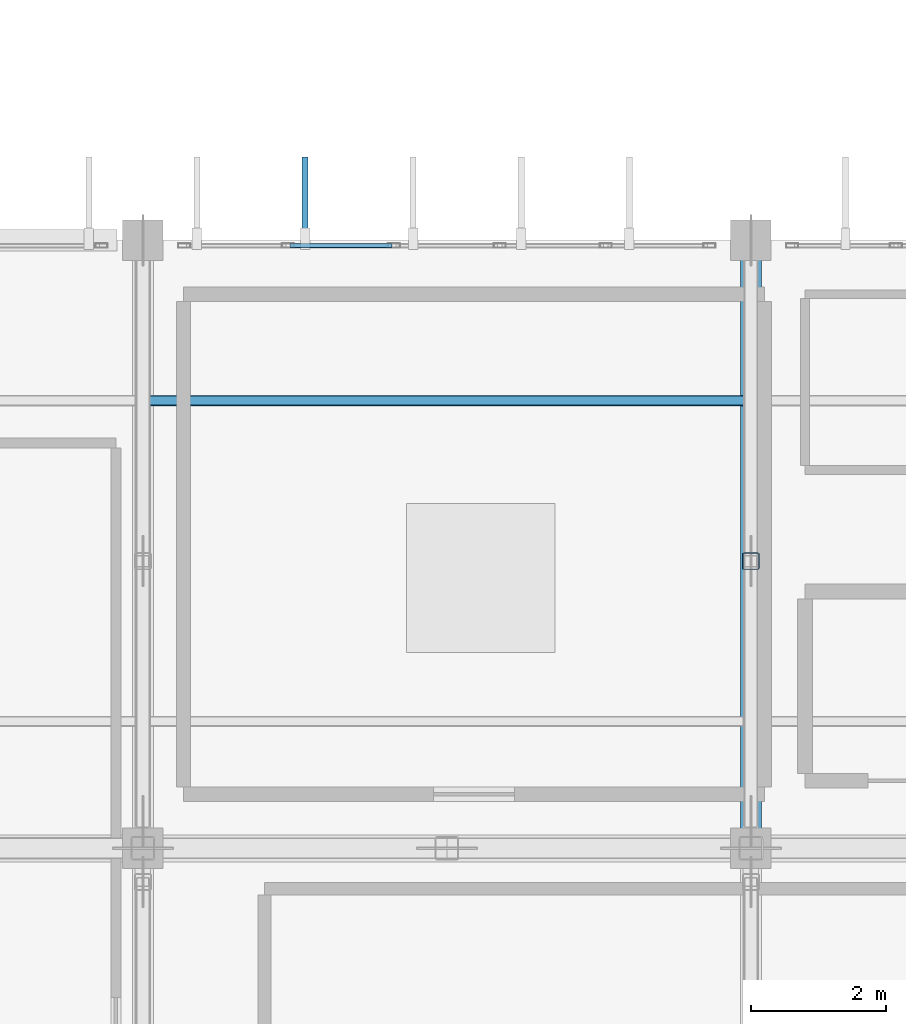
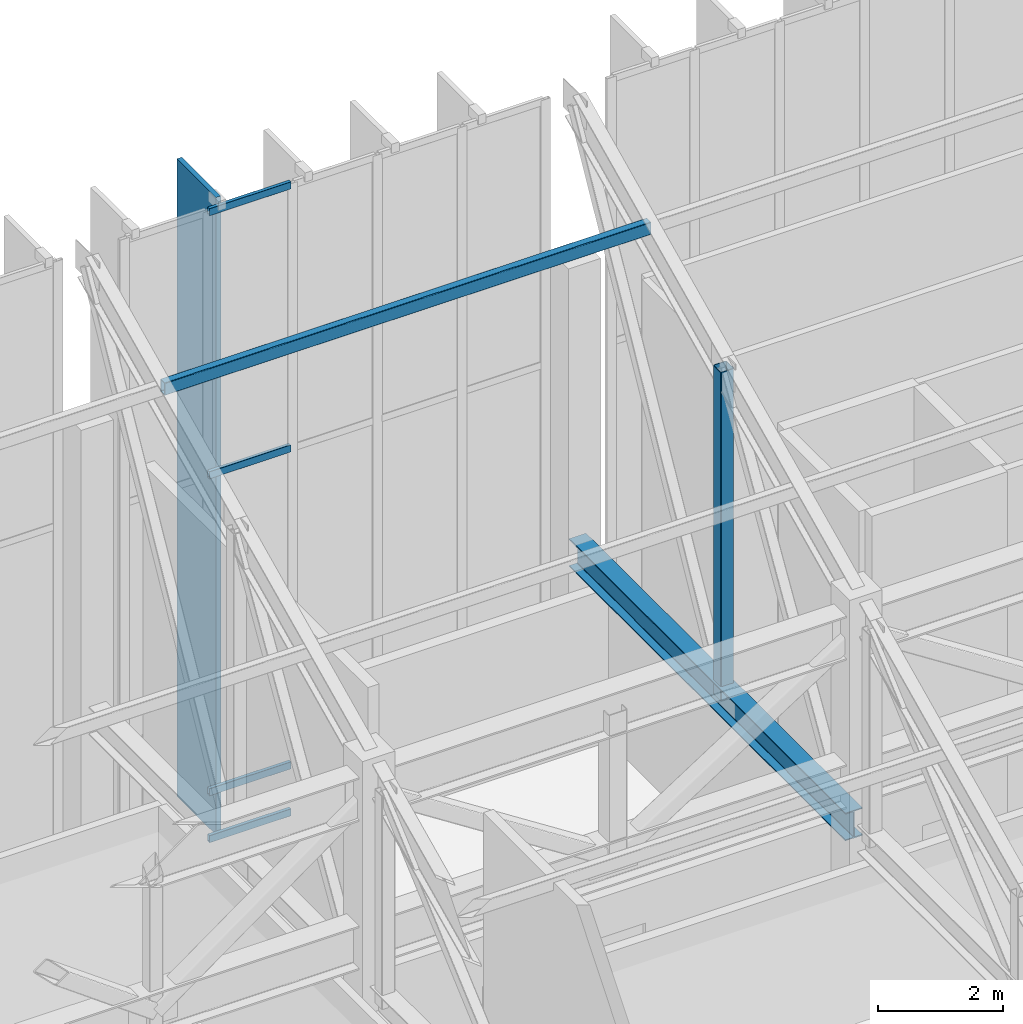
# One storey, part 34 of 68: 7 members, 1 beam, 1 element without a shape of its own.
"""IFC4 building model written with IfcOpenShell, lengths in metres."""

from ifc_helpers import new_model, si_unit, direction, frame, origin, origin_2d, place, context, subcontext, project, spatial, rectangle, hollow_rectangle, i_section, extrude, material, material_profile, profile_set, type_object, element, aggregate, save


model = new_model("IFC4")

# Units and contexts
model_context = context("Model", 3, precision=1e-05, world=origin(), true_north=direction((0.0, 1.0)))
body_context = subcontext(model_context, "Body", "Model", "MODEL_VIEW")
ifc_project = project(units=[si_unit("LENGTHUNIT", "METRE"), si_unit("AREAUNIT", "SQUARE_METRE"), si_unit("VOLUMEUNIT", "CUBIC_METRE"), si_unit("PLANEANGLEUNIT", "RADIAN"), si_unit("MASSUNIT", "GRAM", prefix="KILO")], contexts=[model_context])

# Site, building, storey
site_placement = place(None, origin())
site = spatial("IfcSite", under=ifc_project, at=site_placement, CompositionType="ELEMENT")
building_placement = place(site_placement, origin())
building = spatial("IfcBuilding", under=site, at=building_placement, Name="Miravela Opera House", CompositionType="ELEMENT")
storey_placement = place(building_placement, frame((0.0, 0.0, 21.760009765625)))
storey = spatial("IfcBuildingStorey", under=building, at=storey_placement, Name="L05", CompositionType="ELEMENT", Elevation=21.760009765625)

# Curtain wall, members
ifc_material_1 = material(Name="Anodised architectural bronze aluminium 6063-T6", Category="aluminium")
curtain_wall_type = type_object("IfcCurtainWallType", Name="ARC-CW-03", PredefinedType="NOTDEFINED", material=ifc_material_1)
curtain_wall_placement = place(storey_placement, origin())
curtain_wall = element("IfcCurtainWall", 1, at=curtain_wall_placement, inside=storey, type_object=curtain_wall_type, Name="Auditorium North Wrapper Glazing CW-L05-059", PredefinedType="NOTDEFINED")
ifc_material_profile_1 = material_profile(ifc_material_1, hollow_rectangle(XDim=0.06494140625, YDim=0.139892578125, WallThickness=0.00390625, InnerFilletRadius=0.001953125, OuterFilletRadius=0.00390625, at=origin_2d()), Name="CWT-65X140")
ifc_profile_set_1 = profile_set([ifc_material_profile_1])
member_type_1 = type_object("IfcMemberType", Name="ARC-CWT-140", PredefinedType="USERDEFINED", material=ifc_profile_set_1)
member_1_placement = place(storey_placement, frame((29.180419921875, 74.919921875, 0.032470703125), z_axis=(1.0, 0.0, 0.0), x_axis=(0.0, 1.0, 0.0)))
member_1 = element("IfcMember", 2, at=member_1_placement, type_object=member_type_1, Name="CW-03 transom 2.1", ObjectType="TRANSOM", PredefinedType="USERDEFINED", context=body_context, shape_type="SweptSolid", body=[
    extrude(hollow_rectangle(XDim=0.06494140625, YDim=0.139892578125, WallThickness=0.00390625, InnerFilletRadius=0.001953125, OuterFilletRadius=0.00390625, at=origin_2d()), origin(), (0.0, 0.0, 1.0), 1.503173828125),
])
member_2_placement = place(storey_placement, frame((29.180419921875, 74.919921875, 0.949951171875), z_axis=(1.0, 0.0, 0.0), x_axis=(0.0, 1.0, 0.0)))
member_2 = element("IfcMember", 3, at=member_2_placement, type_object=member_type_1, Name="CW-03 transom 2.2", ObjectType="TRANSOM", PredefinedType="USERDEFINED", context=body_context, shape_type="SweptSolid", body=[
    extrude(hollow_rectangle(XDim=0.06494140625, YDim=0.139892578125, WallThickness=0.00390625, InnerFilletRadius=0.001953125, OuterFilletRadius=0.00390625, at=origin_2d()), origin(), (0.0, 0.0, 1.0), 1.503173828125),
])
member_3_placement = place(storey_placement, frame((29.180419921875, 74.919921875, 7.139892578125), z_axis=(1.0, 0.0, 0.0), x_axis=(0.0, 1.0, 0.0)))
member_3 = element("IfcMember", 4, at=member_3_placement, type_object=member_type_1, Name="CW-03 transom 2.3", ObjectType="TRANSOM", PredefinedType="USERDEFINED", context=body_context, shape_type="SweptSolid", body=[
    extrude(hollow_rectangle(XDim=0.06494140625, YDim=0.139892578125, WallThickness=0.00390625, InnerFilletRadius=0.001953125, OuterFilletRadius=0.00390625, at=origin_2d()), origin(), (0.0, 0.0, 1.0), 1.503173828125),
])
member_4_placement = place(storey_placement, frame((29.180419921875, 74.919921875, 12.277587890625), z_axis=(1.0, 0.0, 0.0), x_axis=(0.0, 1.0, 0.0)))
member_4 = element("IfcMember", 5, at=member_4_placement, type_object=member_type_1, Name="CW-03 transom 2.4", ObjectType="TRANSOM", PredefinedType="USERDEFINED", context=body_context, shape_type="SweptSolid", body=[
    extrude(hollow_rectangle(XDim=0.06494140625, YDim=0.139892578125, WallThickness=0.00390625, InnerFilletRadius=0.001953125, OuterFilletRadius=0.00390625, at=origin_2d()), origin(), (0.0, 0.0, 1.0), 1.503173828125),
])
aggregate(curtain_wall, [member_1, member_2, member_3, member_4])

# Member
ifc_material_profile_2 = material_profile(ifc_material_1, rectangle(XDim=0.090087890625, YDim=1.25, at=origin_2d()), Name="FIN-1250X90")
ifc_profile_set_2 = profile_set([ifc_material_profile_2])
member_type_2 = type_object("IfcMemberType", Name="ARC-FIN-1250", PredefinedType="USERDEFINED", material=ifc_profile_set_2)
member_5_placement = place(storey_placement, frame((29.39990234375, 75.60498046875, 0.0), z_axis=(0.0, 0.0, 1.0), x_axis=(1.0, 0.0, 0.0)))
element("IfcMember", 6, at=member_5_placement, inside=storey, type_object=member_type_2, Name="Auditorium Wrapper Bronze Solar Fin FIN-L05-NORTH-0179", ObjectType="FIN", PredefinedType="USERDEFINED", context=body_context, shape_type="SweptSolid", body=[
    extrude(rectangle(XDim=0.090087890625, YDim=1.25, at=origin_2d()), origin(), (0.0, 0.0, 1.0), 12.449951171875),
])

# Beam
ifc_material_2 = material(Name="Structural steel ASTM A992 Gr. 50", Category="steel")
ifc_material_profile_3 = material_profile(ifc_material_2, i_section(OverallWidth=0.31201171875, OverallDepth=0.54296875, WebThickness=0.0126953125, FlangeThickness=0.020263671875, FilletRadius=0.01611328125, at=origin_2d()), Name="W530X150")
ifc_profile_set_3 = profile_set([ifc_material_profile_3])
beam_type = type_object("IfcBeamType", Name="STR-BM-W530X150", PredefinedType="BEAM", material=ifc_profile_set_3)
beam_placement = place(storey_placement, frame((36.0, 66.080078125, 3.280029296875), z_axis=(0.0, 1.0, 0.0), x_axis=(-1.0, 0.0, 0.0)))
element("IfcBeam", 7, at=beam_placement, inside=storey, type_object=beam_type, Name="V-Crest Roof Truss Bottom Tie Chord X=36 Seg 4", PredefinedType="BEAM", context=body_context, shape_type="SweptSolid", body=[
    extrude(i_section(OverallWidth=0.31201171875, OverallDepth=0.54296875, WebThickness=0.0126953125, FlangeThickness=0.020263671875, FilletRadius=0.01611328125, at=origin_2d()), origin(), (0.0, 0.0, 1.0), 8.83984375),
])

# Members
ifc_material_3 = material(Name="Hollow structural steel ASTM A500 Gr. C", Category="steel")
ifc_material_profile_4 = material_profile(ifc_material_3, hollow_rectangle(XDim=0.25, YDim=0.25, WallThickness=0.011962890625, InnerFilletRadius=0.011962890625, OuterFilletRadius=0.02392578125, at=origin_2d()), Name="HSS250X250X12")
ifc_profile_set_4 = profile_set([ifc_material_profile_4])
member_type_3 = type_object("IfcMemberType", Name="STR-MEM-CANT-POST2", PredefinedType="POST", material=ifc_profile_set_4)
member_6_placement = place(storey_placement, frame((36.0, 70.25, 3.280029296875), z_axis=(0.0, 0.0, 1.0), x_axis=(1.0, 0.0, 0.0)))
element("IfcMember", 8, at=member_6_placement, inside=storey, type_object=member_type_3, Name="V-Crest Roof Truss Panel Post X=36 Node 7", PredefinedType="POST", context=body_context, shape_type="SweptSolid", body=[
    extrude(hollow_rectangle(XDim=0.25, YDim=0.25, WallThickness=0.011962890625, InnerFilletRadius=0.011962890625, OuterFilletRadius=0.02392578125, at=origin_2d()), origin(), (0.0, 0.0, 1.0), 6.409912109375),
])
ifc_material_profile_5 = material_profile(ifc_material_3, hollow_rectangle(XDim=0.14990234375, YDim=0.25, WallThickness=0.011962890625, InnerFilletRadius=0.011962890625, OuterFilletRadius=0.02392578125, at=origin_2d()), Name="HSS250X150X12")
ifc_profile_set_5 = profile_set([ifc_material_profile_5])
member_type_4 = type_object("IfcMemberType", Name="STR-MEM-PURLIN-1", PredefinedType="PURLIN", material=ifc_profile_set_5)
member_7_placement = place(storey_placement, frame((27.010009765625, 72.625, 10.994873046875), z_axis=(1.0, 0.0, 0.0), x_axis=(0.0, 1.0, 0.0)))
element("IfcMember", 9, at=member_7_placement, inside=storey, type_object=member_type_4, Name="V-Roof Steel Purlin B8.2", PredefinedType="PURLIN", context=body_context, shape_type="SweptSolid", body=[
    extrude(hollow_rectangle(XDim=0.14990234375, YDim=0.25, WallThickness=0.011962890625, InnerFilletRadius=0.011962890625, OuterFilletRadius=0.02392578125, at=origin_2d()), origin(), (0.0, 0.0, 1.0), 8.97998046875),
])

save(model, "model.ifc")
